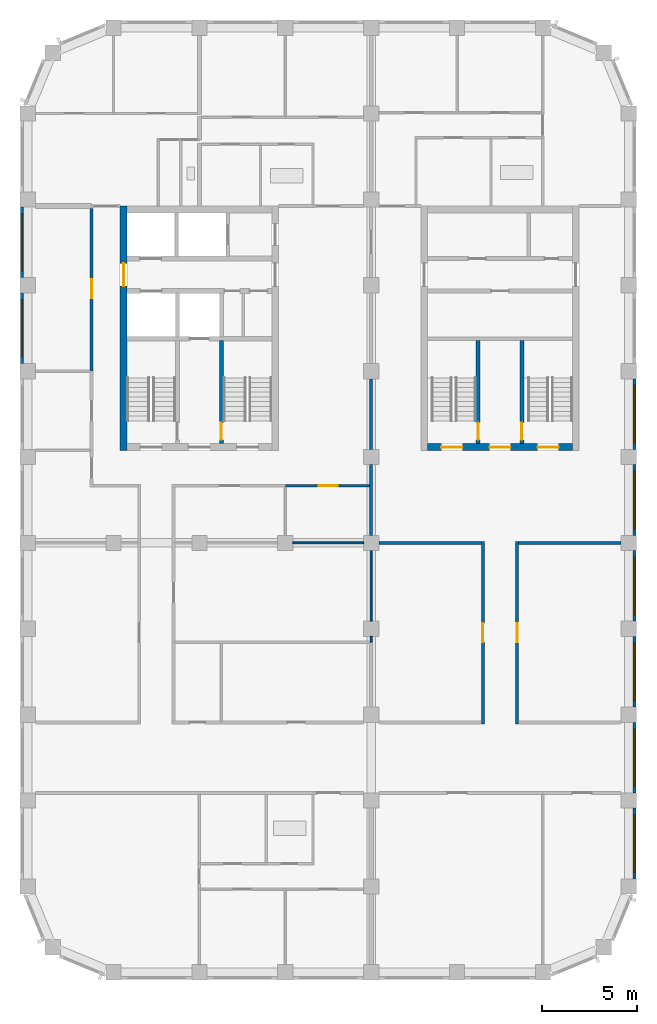
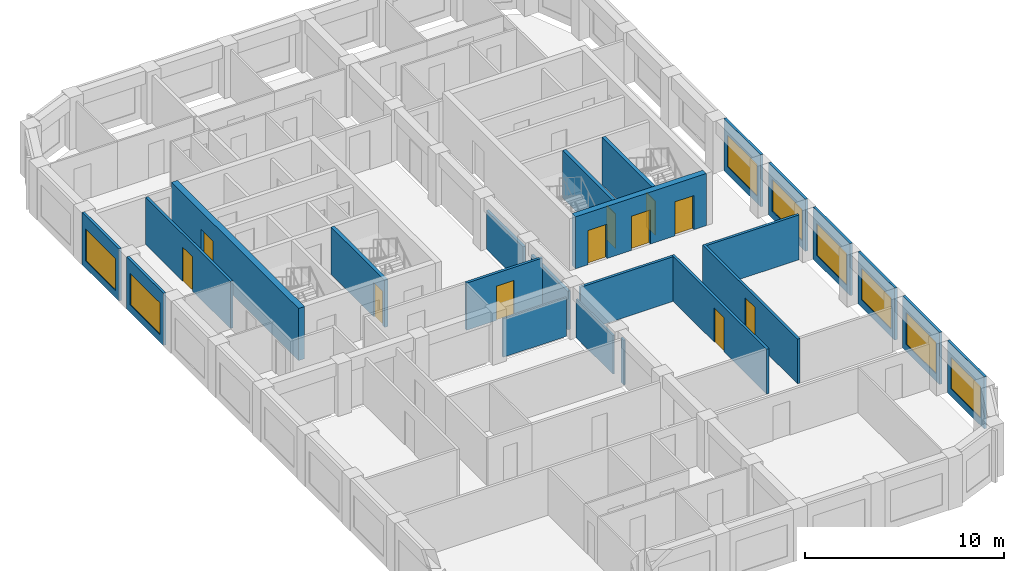
# One storey, part 4 of 9: 24 walls, 11 doors, 8 windows, 19 openings.
"""IFC4 building model written with IfcOpenShell, lengths in metres."""

from ifc_helpers import new_model, si_unit, direction, frame, frame_2d, origin, place, context, subcontext, project, spatial, rectangle, extrude, material, layer, layer_set, type_object, element, fill, save


model = new_model("IFC4")

# Units and contexts
model_context = context("Model", 3, precision=1e-05, world=origin(), true_north=direction((0.0, 1.0)))
body_context = subcontext(model_context, "Body", "Model", "MODEL_VIEW")
ifc_project = project(units=[si_unit("LENGTHUNIT", "METRE"), si_unit("AREAUNIT", "SQUARE_METRE"), si_unit("VOLUMEUNIT", "CUBIC_METRE"), si_unit("PLANEANGLEUNIT", "RADIAN"), si_unit("MASSUNIT", "GRAM", prefix="KILO")], contexts=[model_context])

# Site, building, storey
site_placement = place(None, origin())
site = spatial("IfcSite", under=ifc_project, at=site_placement, CompositionType="ELEMENT")
building_placement = place(site_placement, origin())
building = spatial("IfcBuilding", under=site, at=building_placement, Name="Girih Gate Residences", CompositionType="ELEMENT")
storey_placement = place(building_placement, frame((0.0, 0.0, 213.294921875)))
storey = spatial("IfcBuildingStorey", under=building, at=storey_placement, Name="L59", CompositionType="ELEMENT", Elevation=213.294921875)

# Walls
ifc_material_1 = material(Name="Gypsum board on steel studs", Category="steel")
ifc_layer_1 = layer(ifc_material_1, 0.14990234375)
ifc_layer_set_1 = layer_set([ifc_layer_1], Name="Compartment wall 150 mm")
wall_type_1 = type_object("IfcWallType", Name="Compartment wall 150 mm", PredefinedType="PARTITIONING", material=ifc_layer_set_1)
for number, where, z_axis, x_axis, name in (
    (1, (18.39990234375, 22.5, 0.0), (0.0, 0.0, 1.0), (1.0, 0.0, 0.0), "L59 partition"),
    (2, (25.72509765625, 22.5, 0.0), (0.0, 0.0, 1.0), (1.0, 0.0, 0.0), "L59 partition"),
):
    element("IfcWall", number, at=place(storey_placement, frame(where, z_axis=z_axis, x_axis=x_axis)), inside=storey, type_object=wall_type_1, Name=name, PredefinedType="PARTITIONING", context=body_context, shape_type="SweptSolid", body=[
        extrude(rectangle(XDim=5.375, YDim=0.14990234375, at=frame_2d((2.6875, 0.0))), origin(), (0.0, 0.0, 1.0), 2.75),
    ])
for number, where, z_axis, x_axis, name in (
    (3, (18.0, 27.39990234375, 0.0), (0.0, 0.0, 1.0), (0.0, 1.0, 0.0), "L59 partition"),
    (4, (18.0, 22.89990234375, 0.0), (0.0, 0.0, 1.0), (0.0, 1.0, 0.0), "L59 partition"),
):
    element("IfcWall", number, at=place(storey_placement, frame(where, z_axis=z_axis, x_axis=x_axis)), inside=storey, type_object=wall_type_1, Name=name, PredefinedType="PARTITIONING", context=body_context, shape_type="SweptSolid", body=[
        extrude(rectangle(XDim=3.7001953125, YDim=0.14990234375, at=frame_2d((1.85009765625, 0.0))), origin(), (0.0, 0.0, 1.0), 2.380126953125),
    ])

# Wall, opening, door
wall_1_placement = place(storey_placement, frame((23.85009765625, 13.02490234375, 0.0), z_axis=(0.0, 0.0, 1.0), x_axis=(0.0, 1.0, 0.0)))
wall_1 = element("IfcWall", 5, at=wall_1_placement, inside=storey, type_object=wall_type_1, Name="L59 partition", PredefinedType="PARTITIONING", context=body_context, shape_type="SweptSolid", body=[
    extrude(rectangle(XDim=9.550048828125, YDim=0.14990234375, at=frame_2d((4.77490234375, 0.0))), origin(), (0.0, 0.0, 1.0), 2.75),
])
opening_1_placement = place(wall_1_placement, frame((4.27490234375, 0.0, 0.0)))
opening_1 = element("IfcOpeningElement", 6, at=opening_1_placement, cuts=wall_1, Name="Opening A59-027", PredefinedType="OPENING", context=body_context, shape_type="SweptSolid", body=[
    extrude(rectangle(XDim=1.0, YDim=2.10009765625, at=frame_2d((0.5, 1.050048828125))), frame((0.0, 0.0849609375, 0.0), z_axis=(0.0, -1.0, 0.0), x_axis=(1.0, 0.0, 0.0)), (0.0, 0.0, 1.0), 0.169921875),
])
ifc_material_2 = material(Name="Timber, fire-rated core", Category="wood")
door_type_1 = type_object("IfcDoorType", Name="Amenity room door 1000x2100 FD30S", OperationType="NOTDEFINED", PredefinedType="DOOR", material=ifc_material_2)
door_1_placement = place(opening_1_placement, origin())
door_1 = element("IfcDoor", 7, at=door_1_placement, inside=storey, type_object=door_type_1, Name="Door A59-027", OperationType="SINGLE_SWING_RIGHT", OverallHeight=2.10009765625, OverallWidth=1.0, PredefinedType="DOOR", context=body_context, shape_type="SweptSolid", body=[
    extrude(rectangle(XDim=1.0, YDim=2.10009765625, at=frame_2d((0.5, 1.050048828125))), frame((0.0, 0.02490234375, 0.0), z_axis=(0.0, -1.0, 0.0), x_axis=(1.0, 0.0, 0.0)), (0.0, 0.0, 1.0), 0.050048828125),
])
fill(opening_1, door_1)

wall_2_placement = place(storey_placement, frame((25.64990234375, 22.574951171875, 0.0), z_axis=(0.0, 0.0, 1.0), x_axis=(0.0, -1.0, 0.0)))
wall_2 = element("IfcWall", 8, at=wall_2_placement, inside=storey, type_object=wall_type_1, Name="L59 partition", PredefinedType="PARTITIONING", context=body_context, shape_type="SweptSolid", body=[
    extrude(rectangle(XDim=9.550048828125, YDim=0.14990234375, at=frame_2d((4.77490234375, 0.0))), origin(), (0.0, 0.0, 1.0), 2.75),
])
opening_2_placement = place(wall_2_placement, frame((4.27490234375, 0.0, 0.0)))
opening_2 = element("IfcOpeningElement", 9, at=opening_2_placement, cuts=wall_2, Name="Opening A59-028", PredefinedType="OPENING", context=body_context, shape_type="SweptSolid", body=[
    extrude(rectangle(XDim=1.0, YDim=2.10009765625, at=frame_2d((0.5, 1.050048828125))), frame((0.0, 0.0849609375, 0.0), z_axis=(0.0, -1.0, 0.0), x_axis=(1.0, 0.0, 0.0)), (0.0, 0.0, 1.0), 0.169921875),
])
door_2_placement = place(opening_2_placement, origin())
door_2 = element("IfcDoor", 10, at=door_2_placement, inside=storey, type_object=door_type_1, Name="Door A59-028", OperationType="SINGLE_SWING_LEFT", OverallHeight=2.10009765625, OverallWidth=1.0, PredefinedType="DOOR", context=body_context, shape_type="SweptSolid", body=[
    extrude(rectangle(XDim=1.0, YDim=2.10009765625, at=frame_2d((0.5, 1.050048828125))), frame((0.0, 0.02490234375, 0.0), z_axis=(0.0, -1.0, 0.0), x_axis=(1.0, 0.0, 0.0)), (0.0, 0.0, 1.0), 0.050048828125),
])
fill(opening_2, door_2)

wall_3_placement = place(storey_placement, frame((17.925048828125, 25.5, 0.0), z_axis=(0.0, 0.0, 1.0), x_axis=(-1.0, 0.0, 0.0)))
wall_3 = element("IfcWall", 11, at=wall_3_placement, inside=storey, type_object=wall_type_1, Name="L59 partition", PredefinedType="PARTITIONING", context=body_context, shape_type="SweptSolid", body=[
    extrude(rectangle(XDim=4.425048828125, YDim=0.14990234375, at=frame_2d((2.21240234375, 0.0))), origin(), (0.0, 0.0, 1.0), 2.900146484375),
])
opening_3_placement = place(wall_3_placement, frame((1.675048828125, 0.0, 0.0)))
opening_3 = element("IfcOpeningElement", 12, at=opening_3_placement, cuts=wall_3, Name="Opening A59-033", PredefinedType="OPENING", context=body_context, shape_type="SweptSolid", body=[
    extrude(rectangle(XDim=1.0, YDim=2.10009765625, at=frame_2d((0.5, 1.050048828125))), frame((0.0, 0.0849609375, 0.0), z_axis=(0.0, -1.0, 0.0), x_axis=(1.0, 0.0, 0.0)), (0.0, 0.0, 1.0), 0.169921875),
])
door_3_placement = place(opening_3_placement, origin())
door_3 = element("IfcDoor", 13, at=door_3_placement, inside=storey, type_object=door_type_1, Name="Door A59-033", OperationType="SINGLE_SWING_LEFT", OverallHeight=2.10009765625, OverallWidth=1.0, PredefinedType="DOOR", context=body_context, shape_type="SweptSolid", body=[
    extrude(rectangle(XDim=1.0, YDim=2.10009765625, at=frame_2d((0.5, 1.050048828125))), frame((0.0, 0.02490234375, 0.0), z_axis=(0.0, -1.0, 0.0), x_axis=(1.0, 0.0, 0.0)), (0.0, 0.0, 1.0), 0.050048828125),
])
fill(opening_3, door_3)

wall_4_placement = place(storey_placement, frame((3.35009765625, 31.5, 0.0), z_axis=(0.0, 0.0, 1.0), x_axis=(0.0, 1.0, 0.0)))
wall_4 = element("IfcWall", 14, at=wall_4_placement, inside=storey, type_object=wall_type_1, Name="L59 partition", PredefinedType="PARTITIONING", context=body_context, shape_type="SweptSolid", body=[
    extrude(rectangle(XDim=8.52490234375, YDim=0.14990234375, at=frame_2d((4.262451171875, 0.0))), origin(), (0.0, 0.0, 1.0), 2.900146484375),
])
opening_4_placement = place(wall_4_placement, frame((3.824951171875, 0.0, 0.0)))
opening_4 = element("IfcOpeningElement", 15, at=opening_4_placement, cuts=wall_4, Name="Opening A59-035", PredefinedType="OPENING", context=body_context, shape_type="SweptSolid", body=[
    extrude(rectangle(XDim=1.0, YDim=2.10009765625, at=frame_2d((0.5, 1.050048828125))), frame((0.0, 0.0849609375, 0.0), z_axis=(0.0, -1.0, 0.0), x_axis=(1.0, 0.0, 0.0)), (0.0, 0.0, 1.0), 0.169921875),
])
door_4_placement = place(opening_4_placement, origin())
door_4 = element("IfcDoor", 16, at=door_4_placement, inside=storey, type_object=door_type_1, Name="Door A59-035", OperationType="SINGLE_SWING_RIGHT", OverallHeight=2.10009765625, OverallWidth=1.0, PredefinedType="DOOR", context=body_context, shape_type="SweptSolid", body=[
    extrude(rectangle(XDim=1.0, YDim=2.10009765625, at=frame_2d((0.5, 1.050048828125))), frame((0.0, 0.02490234375, 0.0), z_axis=(0.0, -1.0, 0.0), x_axis=(1.0, 0.0, 0.0)), (0.0, 0.0, 1.0), 0.050048828125),
])
fill(opening_4, door_4)

ifc_material_3 = material(Name="Concrete C60/75", Category="concrete")
ifc_layer_2 = layer(ifc_material_3, 0.35009765625)
ifc_layer_set_2 = layer_set([ifc_layer_2], Name="Core wall RC 350 Concrete C60/75")
wall_type_2 = type_object("IfcWallType", Name="Core wall RC 350 Concrete C60/75", PredefinedType="SOLIDWALL", material=ifc_layer_set_2)
wall_5_placement = place(storey_placement, frame((5.02490234375, 27.35009765625, 0.0), z_axis=(0.0, 0.0, 1.0), x_axis=(0.0, 1.0, 0.0)))
wall_5 = element("IfcWall", 17, at=wall_5_placement, inside=storey, type_object=wall_type_2, Name="Core wall W-W L59", PredefinedType="SOLIDWALL", context=body_context, shape_type="SweptSolid", body=[
    extrude(rectangle(XDim=12.7998046875, YDim=0.35009765625, at=frame_2d((6.39990234375, 0.0))), origin(), (0.0, 0.0, 1.0), 3.2001953125),
])
opening_5_placement = place(wall_5_placement, frame((8.60009765625, 0.0, 0.0)))
opening_5 = element("IfcOpeningElement", 18, at=opening_5_placement, cuts=wall_5, Name="Opening D-L59-W-013", PredefinedType="OPENING", context=body_context, shape_type="SweptSolid", body=[
    extrude(rectangle(XDim=1.199951171875, YDim=2.10009765625, at=frame_2d((0.60009765625, 1.050048828125))), frame((0.0, 0.18505859375, 0.0), z_axis=(0.0, -1.0, 0.0), x_axis=(1.0, 0.0, 0.0)), (0.0, 0.0, 1.0), 0.3701171875),
])
ifc_material_4 = material(Name="Painted steel, fire-resisting", Category="steel")
door_type_2 = type_object("IfcDoorType", Name="Fire door 1200x2100", OperationType="SINGLE_SWING_LEFT", PredefinedType="DOOR", material=ifc_material_4)
door_5_placement = place(opening_5_placement, origin())
door_5 = element("IfcDoor", 19, at=door_5_placement, inside=storey, type_object=door_type_2, Name="L59 W core door ll-w", OperationType="SINGLE_SWING_LEFT", OverallHeight=2.10009765625, OverallWidth=1.199951171875, PredefinedType="DOOR", context=body_context, shape_type="SweptSolid", body=[
    extrude(rectangle(XDim=1.199951171875, YDim=2.10009765625, at=frame_2d((0.60009765625, 1.050048828125))), frame((0.0, 0.02490234375, 0.0), z_axis=(0.0, -1.0, 0.0), x_axis=(1.0, 0.0, 0.0)), (0.0, 0.0, 1.0), 0.050048828125),
])
fill(opening_5, door_5)

# Walls
ifc_layer_3 = layer(ifc_material_1, 0.10009765625)
ifc_layer_set_3 = layer_set([ifc_layer_3], Name="Partition 100 mm")
wall_type_3 = type_object("IfcWallType", Name="Partition 100 mm", PredefinedType="PARTITIONING", material=ifc_layer_set_3)
wall_6_placement = place(storey_placement, frame((18.0, 18.39990234375, 0.0), z_axis=(0.0, 0.0, 1.0), x_axis=(0.0, 1.0, 0.0)))
element("IfcWall", 20, at=wall_6_placement, inside=storey, type_object=wall_type_3, Name="L59 partition", PredefinedType="PARTITIONING", context=body_context, shape_type="SweptSolid", body=[
    extrude(rectangle(XDim=3.7001953125, YDim=0.10009765625, at=frame_2d((1.85009765625, 0.0))), origin(), (0.0, 0.0, 1.0), 2.380126953125),
])
wall_7_placement = place(storey_placement, frame((18.0, 17.300048828125, 0.0), z_axis=(0.0, 0.0, 1.0), x_axis=(0.0, 1.0, 0.0)))
element("IfcWall", 21, at=wall_7_placement, inside=storey, type_object=wall_type_3, Name="L59 partition", PredefinedType="PARTITIONING", context=body_context, shape_type="SweptSolid", body=[
    extrude(rectangle(XDim=0.300048828125, YDim=0.10009765625, at=frame_2d((0.14990234375, 0.0))), origin(), (0.0, 0.0, 1.0), 2.75),
])
wall_8_placement = place(storey_placement, frame((13.89990234375, 22.5, 0.0), z_axis=(0.0, 0.0, 1.0), x_axis=(1.0, 0.0, 0.0)))
element("IfcWall", 22, at=wall_8_placement, inside=storey, type_object=wall_type_3, Name="L59 partition", PredefinedType="PARTITIONING", context=body_context, shape_type="SweptSolid", body=[
    extrude(rectangle(XDim=3.7001953125, YDim=0.10009765625, at=frame_2d((1.85009765625, 0.0))), origin(), (0.0, 0.0, 1.0), 2.380126953125),
])

# Wall, opening, window
ifc_material_5 = material(Name="Precast concrete C50/60", Category="concrete")
ifc_layer_4 = layer(ifc_material_5, 0.050048828125, Name="Outer leaf")
ifc_material_6 = material(Name="Rigid PIR insulation")
ifc_layer_5 = layer(ifc_material_6, 0.06005859375, Name="Insulation")
ifc_material_7 = material(Name="Precast concrete C40/50", Category="concrete")
ifc_layer_6 = layer(ifc_material_7, 0.0400390625, Name="Inner leaf")
ifc_layer_set_4 = layer_set([ifc_layer_4, ifc_layer_5, ifc_layer_6], Name="Precast concrete C50/60 external wall 150")
wall_type_4 = type_object("IfcWallType", Name="Precast concrete C50/60 external wall 150", PredefinedType="SOLIDWALL", material=ifc_layer_set_4)
wall_9_placement = place(storey_placement, frame((31.800048828125, 8.60009765625, 0.0), z_axis=(0.0, 0.0, 1.0), x_axis=(0.0, -1.0, 0.0)))
wall_9 = element("IfcWall", 23, at=wall_9_placement, inside=storey, type_object=wall_type_4, Name="External wall E0315_0045.0", PredefinedType="SOLIDWALL", context=body_context, shape_type="SweptSolid", body=[
    extrude(rectangle(XDim=3.7001953125, YDim=0.14990234375, at=frame_2d((1.85009765625, 0.0))), origin(), (0.0, 0.0, 1.0), 3.2001953125),
])
opening_6_placement = place(wall_9_placement, frame((0.35009765625, 0.0, 0.449951171875)))
opening_6 = element("IfcOpeningElement", 24, at=opening_6_placement, cuts=wall_9, Name="Opening W-1D", PredefinedType="OPENING", context=body_context, shape_type="SweptSolid", body=[
    extrude(rectangle(XDim=3.0, YDim=1.949951171875, at=frame_2d((1.5, 0.97509765625))), frame((0.0, 0.0849609375, 0.0), z_axis=(0.0, -1.0, 0.0), x_axis=(1.0, 0.0, 0.0)), (0.0, 0.0, 1.0), 0.169921875),
])
ifc_material_8 = material(Name="Double glazing in aluminium frame", Category="aluminium")
window_type = type_object("IfcWindowType", Name="Window W-1D 3000x1950", PartitioningType="SINGLE_PANEL", PredefinedType="WINDOW", material=ifc_material_8)
window_1_placement = place(opening_6_placement, origin())
window_1 = element("IfcWindow", 25, at=window_1_placement, inside=storey, type_object=window_type, Name="Window W-1D E0315_0045.0", OverallHeight=1.949951171875, OverallWidth=3.0, PartitioningType="SINGLE_PANEL", PredefinedType="WINDOW", context=body_context, shape_type="SweptSolid", body=[
    extrude(rectangle(XDim=3.0, YDim=1.949951171875, at=frame_2d((1.5, 0.97509765625))), frame((0.0, 0.030029296875, 0.0), z_axis=(0.0, -1.0, 0.0), x_axis=(1.0, 0.0, 0.0)), (0.0, 0.0, 1.0), 0.06005859375),
])
fill(opening_6, window_1)

wall_10_placement = place(storey_placement, frame((31.800048828125, 13.10009765625, 0.0), z_axis=(0.0, 0.0, 1.0), x_axis=(0.0, -1.0, 0.0)))
wall_10 = element("IfcWall", 26, at=wall_10_placement, inside=storey, type_object=wall_type_4, Name="External wall E0315_0045.1", PredefinedType="SOLIDWALL", context=body_context, shape_type="SweptSolid", body=[
    extrude(rectangle(XDim=3.7001953125, YDim=0.14990234375, at=frame_2d((1.85009765625, 0.0))), origin(), (0.0, 0.0, 1.0), 3.2001953125),
])
opening_7_placement = place(wall_10_placement, frame((0.35009765625, 0.0, 0.449951171875)))
opening_7 = element("IfcOpeningElement", 27, at=opening_7_placement, cuts=wall_10, Name="Opening W-1D", PredefinedType="OPENING", context=body_context, shape_type="SweptSolid", body=[
    extrude(rectangle(XDim=3.0, YDim=1.949951171875, at=frame_2d((1.5, 0.97509765625))), frame((0.0, 0.0849609375, 0.0), z_axis=(0.0, -1.0, 0.0), x_axis=(1.0, 0.0, 0.0)), (0.0, 0.0, 1.0), 0.169921875),
])
window_2_placement = place(opening_7_placement, origin())
window_2 = element("IfcWindow", 28, at=window_2_placement, inside=storey, type_object=window_type, Name="Window W-1D E0315_0045.1", OverallHeight=1.949951171875, OverallWidth=3.0, PartitioningType="SINGLE_PANEL", PredefinedType="WINDOW", context=body_context, shape_type="SweptSolid", body=[
    extrude(rectangle(XDim=3.0, YDim=1.949951171875, at=frame_2d((1.5, 0.97509765625))), frame((0.0, 0.030029296875, 0.0), z_axis=(0.0, -1.0, 0.0), x_axis=(1.0, 0.0, 0.0)), (0.0, 0.0, 1.0), 0.06005859375),
])
fill(opening_7, window_2)

wall_11_placement = place(storey_placement, frame((31.800048828125, 17.60009765625, 0.0), z_axis=(0.0, 0.0, 1.0), x_axis=(0.0, -1.0, 0.0)))
wall_11 = element("IfcWall", 29, at=wall_11_placement, inside=storey, type_object=wall_type_4, Name="External wall E0315_0045.2", PredefinedType="SOLIDWALL", context=body_context, shape_type="SweptSolid", body=[
    extrude(rectangle(XDim=3.7001953125, YDim=0.14990234375, at=frame_2d((1.85009765625, 0.0))), origin(), (0.0, 0.0, 1.0), 3.2001953125),
])
opening_8_placement = place(wall_11_placement, frame((0.35009765625, 0.0, 0.449951171875)))
opening_8 = element("IfcOpeningElement", 30, at=opening_8_placement, cuts=wall_11, Name="Opening W-1D", PredefinedType="OPENING", context=body_context, shape_type="SweptSolid", body=[
    extrude(rectangle(XDim=3.0, YDim=1.949951171875, at=frame_2d((1.5, 0.97509765625))), frame((0.0, 0.0849609375, 0.0), z_axis=(0.0, -1.0, 0.0), x_axis=(1.0, 0.0, 0.0)), (0.0, 0.0, 1.0), 0.169921875),
])
window_3_placement = place(opening_8_placement, origin())
window_3 = element("IfcWindow", 31, at=window_3_placement, inside=storey, type_object=window_type, Name="Window W-1D E0315_0045.2", OverallHeight=1.949951171875, OverallWidth=3.0, PartitioningType="SINGLE_PANEL", PredefinedType="WINDOW", context=body_context, shape_type="SweptSolid", body=[
    extrude(rectangle(XDim=3.0, YDim=1.949951171875, at=frame_2d((1.5, 0.97509765625))), frame((0.0, 0.030029296875, 0.0), z_axis=(0.0, -1.0, 0.0), x_axis=(1.0, 0.0, 0.0)), (0.0, 0.0, 1.0), 0.06005859375),
])
fill(opening_8, window_3)

wall_12_placement = place(storey_placement, frame((31.800048828125, 22.10009765625, 0.0), z_axis=(0.0, 0.0, 1.0), x_axis=(0.0, -1.0, 0.0)))
wall_12 = element("IfcWall", 32, at=wall_12_placement, inside=storey, type_object=wall_type_4, Name="External wall E0315_0045.3", PredefinedType="SOLIDWALL", context=body_context, shape_type="SweptSolid", body=[
    extrude(rectangle(XDim=3.7001953125, YDim=0.14990234375, at=frame_2d((1.85009765625, 0.0))), origin(), (0.0, 0.0, 1.0), 3.2001953125),
])
opening_9_placement = place(wall_12_placement, frame((0.35009765625, 0.0, 0.449951171875)))
opening_9 = element("IfcOpeningElement", 33, at=opening_9_placement, cuts=wall_12, Name="Opening W-1D", PredefinedType="OPENING", context=body_context, shape_type="SweptSolid", body=[
    extrude(rectangle(XDim=3.0, YDim=1.949951171875, at=frame_2d((1.5, 0.97509765625))), frame((0.0, 0.0849609375, 0.0), z_axis=(0.0, -1.0, 0.0), x_axis=(1.0, 0.0, 0.0)), (0.0, 0.0, 1.0), 0.169921875),
])
window_4_placement = place(opening_9_placement, origin())
window_4 = element("IfcWindow", 34, at=window_4_placement, inside=storey, type_object=window_type, Name="Window W-1D E0315_0045.3", OverallHeight=1.949951171875, OverallWidth=3.0, PartitioningType="SINGLE_PANEL", PredefinedType="WINDOW", context=body_context, shape_type="SweptSolid", body=[
    extrude(rectangle(XDim=3.0, YDim=1.949951171875, at=frame_2d((1.5, 0.97509765625))), frame((0.0, 0.030029296875, 0.0), z_axis=(0.0, -1.0, 0.0), x_axis=(1.0, 0.0, 0.0)), (0.0, 0.0, 1.0), 0.06005859375),
])
fill(opening_9, window_4)

wall_13_placement = place(storey_placement, frame((31.800048828125, 26.60009765625, 0.0), z_axis=(0.0, 0.0, 1.0), x_axis=(0.0, -1.0, 0.0)))
wall_13 = element("IfcWall", 35, at=wall_13_placement, inside=storey, type_object=wall_type_4, Name="External wall E0315_0045.4", PredefinedType="SOLIDWALL", context=body_context, shape_type="SweptSolid", body=[
    extrude(rectangle(XDim=3.7001953125, YDim=0.14990234375, at=frame_2d((1.85009765625, 0.0))), origin(), (0.0, 0.0, 1.0), 3.2001953125),
])
opening_10_placement = place(wall_13_placement, frame((0.35009765625, 0.0, 0.449951171875)))
opening_10 = element("IfcOpeningElement", 36, at=opening_10_placement, cuts=wall_13, Name="Opening W-1D", PredefinedType="OPENING", context=body_context, shape_type="SweptSolid", body=[
    extrude(rectangle(XDim=3.0, YDim=1.949951171875, at=frame_2d((1.5, 0.97509765625))), frame((0.0, 0.0849609375, 0.0), z_axis=(0.0, -1.0, 0.0), x_axis=(1.0, 0.0, 0.0)), (0.0, 0.0, 1.0), 0.169921875),
])
window_5_placement = place(opening_10_placement, origin())
window_5 = element("IfcWindow", 37, at=window_5_placement, inside=storey, type_object=window_type, Name="Window W-1D E0315_0045.4", OverallHeight=1.949951171875, OverallWidth=3.0, PartitioningType="SINGLE_PANEL", PredefinedType="WINDOW", context=body_context, shape_type="SweptSolid", body=[
    extrude(rectangle(XDim=3.0, YDim=1.949951171875, at=frame_2d((1.5, 0.97509765625))), frame((0.0, 0.030029296875, 0.0), z_axis=(0.0, -1.0, 0.0), x_axis=(1.0, 0.0, 0.0)), (0.0, 0.0, 1.0), 0.06005859375),
])
fill(opening_10, window_5)

wall_14_placement = place(storey_placement, frame((31.800048828125, 31.10009765625, 0.0), z_axis=(0.0, 0.0, 1.0), x_axis=(0.0, -1.0, 0.0)))
wall_14 = element("IfcWall", 38, at=wall_14_placement, inside=storey, type_object=wall_type_4, Name="External wall E0315_0045.5", PredefinedType="SOLIDWALL", context=body_context, shape_type="SweptSolid", body=[
    extrude(rectangle(XDim=3.7001953125, YDim=0.14990234375, at=frame_2d((1.85009765625, 0.0))), origin(), (0.0, 0.0, 1.0), 3.2001953125),
])
opening_11_placement = place(wall_14_placement, frame((0.35009765625, 0.0, 0.449951171875)))
opening_11 = element("IfcOpeningElement", 39, at=opening_11_placement, cuts=wall_14, Name="Opening W-1D", PredefinedType="OPENING", context=body_context, shape_type="SweptSolid", body=[
    extrude(rectangle(XDim=3.0, YDim=1.949951171875, at=frame_2d((1.5, 0.97509765625))), frame((0.0, 0.0849609375, 0.0), z_axis=(0.0, -1.0, 0.0), x_axis=(1.0, 0.0, 0.0)), (0.0, 0.0, 1.0), 0.169921875),
])
window_6_placement = place(opening_11_placement, origin())
window_6 = element("IfcWindow", 40, at=window_6_placement, inside=storey, type_object=window_type, Name="Window W-1D E0315_0045.5", OverallHeight=1.949951171875, OverallWidth=3.0, PartitioningType="SINGLE_PANEL", PredefinedType="WINDOW", context=body_context, shape_type="SweptSolid", body=[
    extrude(rectangle(XDim=3.0, YDim=1.949951171875, at=frame_2d((1.5, 0.97509765625))), frame((0.0, 0.030029296875, 0.0), z_axis=(0.0, -1.0, 0.0), x_axis=(1.0, 0.0, 0.0)), (0.0, 0.0, 1.0), 0.06005859375),
])
fill(opening_11, window_6)

wall_15_placement = place(storey_placement, frame((-0.300048828125, 36.39990234375, 0.0), z_axis=(0.0, 0.0, 1.0), x_axis=(0.0, 1.0, 0.0)))
wall_15 = element("IfcWall", 41, at=wall_15_placement, inside=storey, type_object=wall_type_4, Name="External wall W0000_0450.1", PredefinedType="SOLIDWALL", context=body_context, shape_type="SweptSolid", body=[
    extrude(rectangle(XDim=3.7001953125, YDim=0.14990234375, at=frame_2d((1.85009765625, 0.0))), origin(), (0.0, 0.0, 1.0), 3.2001953125),
])
opening_12_placement = place(wall_15_placement, frame((0.35009765625, 0.0, 0.449951171875)))
opening_12 = element("IfcOpeningElement", 42, at=opening_12_placement, cuts=wall_15, Name="Opening W-1D", PredefinedType="OPENING", context=body_context, shape_type="SweptSolid", body=[
    extrude(rectangle(XDim=3.0, YDim=1.949951171875, at=frame_2d((1.5, 0.97509765625))), frame((0.0, 0.0849609375, 0.0), z_axis=(0.0, -1.0, 0.0), x_axis=(1.0, 0.0, 0.0)), (0.0, 0.0, 1.0), 0.169921875),
])
window_7_placement = place(opening_12_placement, origin())
window_7 = element("IfcWindow", 43, at=window_7_placement, inside=storey, type_object=window_type, Name="Window W-1D W0000_0450.1", OverallHeight=1.949951171875, OverallWidth=3.0, PartitioningType="SINGLE_PANEL", PredefinedType="WINDOW", context=body_context, shape_type="SweptSolid", body=[
    extrude(rectangle(XDim=3.0, YDim=1.949951171875, at=frame_2d((1.5, 0.97509765625))), frame((0.0, 0.030029296875, 0.0), z_axis=(0.0, -1.0, 0.0), x_axis=(1.0, 0.0, 0.0)), (0.0, 0.0, 1.0), 0.06005859375),
])
fill(opening_12, window_7)

wall_16_placement = place(storey_placement, frame((-0.300048828125, 31.89990234375, 0.0), z_axis=(0.0, 0.0, 1.0), x_axis=(0.0, 1.0, 0.0)))
wall_16 = element("IfcWall", 44, at=wall_16_placement, inside=storey, type_object=wall_type_4, Name="External wall W0000_0450.2", PredefinedType="SOLIDWALL", context=body_context, shape_type="SweptSolid", body=[
    extrude(rectangle(XDim=3.7001953125, YDim=0.14990234375, at=frame_2d((1.85009765625, 0.0))), origin(), (0.0, 0.0, 1.0), 3.2001953125),
])
opening_13_placement = place(wall_16_placement, frame((0.35009765625, 0.0, 0.449951171875)))
opening_13 = element("IfcOpeningElement", 45, at=opening_13_placement, cuts=wall_16, Name="Opening W-1D", PredefinedType="OPENING", context=body_context, shape_type="SweptSolid", body=[
    extrude(rectangle(XDim=3.0, YDim=1.949951171875, at=frame_2d((1.5, 0.97509765625))), frame((0.0, 0.0849609375, 0.0), z_axis=(0.0, -1.0, 0.0), x_axis=(1.0, 0.0, 0.0)), (0.0, 0.0, 1.0), 0.169921875),
])
window_8_placement = place(opening_13_placement, origin())
window_8 = element("IfcWindow", 46, at=window_8_placement, inside=storey, type_object=window_type, Name="Window W-1D W0000_0450.2", OverallHeight=1.949951171875, OverallWidth=3.0, PartitioningType="SINGLE_PANEL", PredefinedType="WINDOW", context=body_context, shape_type="SweptSolid", body=[
    extrude(rectangle(XDim=3.0, YDim=1.949951171875, at=frame_2d((1.5, 0.97509765625))), frame((0.0, 0.030029296875, 0.0), z_axis=(0.0, -1.0, 0.0), x_axis=(1.0, 0.0, 0.0)), (0.0, 0.0, 1.0), 0.06005859375),
])
fill(opening_13, window_8)

# Wall, opening, door
ifc_material_9 = material(Name="Concrete C40/50", Category="concrete")
ifc_layer_7 = layer(ifc_material_9, 0.199951171875)
ifc_layer_set_5 = layer_set([ifc_layer_7], Name="Shaft wall 200")
wall_type_5 = type_object("IfcWallType", Name="Shaft wall 200", PredefinedType="SOLIDWALL", material=ifc_layer_set_5)
wall_17_placement = place(storey_placement, frame((10.14990234375, 27.699951171875, 0.0), z_axis=(0.0, 0.0, 1.0), x_axis=(0.0, 1.0, 0.0)))
wall_17 = element("IfcWall", 47, at=wall_17_placement, inside=storey, type_object=wall_type_5, Name="L59 W core wall V2a", PredefinedType="SOLIDWALL", context=body_context, shape_type="SweptSolid", body=[
    extrude(rectangle(XDim=5.400146484375, YDim=0.199951171875, at=frame_2d((2.7001953125, 0.0))), origin(), (0.0, 0.0, 1.0), 2.900146484375),
])
opening_14_placement = place(wall_17_placement, frame((0.199951171875, 0.0, 0.0)))
opening_14 = element("IfcOpeningElement", 48, at=opening_14_placement, cuts=wall_17, Name="Opening D-L59-W-002", PredefinedType="OPENING", context=body_context, shape_type="SweptSolid", body=[
    extrude(rectangle(XDim=0.89990234375, YDim=2.10009765625, at=frame_2d((0.449951171875, 1.050048828125))), frame((0.0, 0.10986328125, 0.0), z_axis=(0.0, -1.0, 0.0), x_axis=(1.0, 0.0, 0.0)), (0.0, 0.0, 1.0), 0.219970703125),
])
door_type_3 = type_object("IfcDoorType", Name="Fire door 900x2100", OperationType="SINGLE_SWING_LEFT", PredefinedType="DOOR", material=ifc_material_4)
door_6_placement = place(opening_14_placement, origin())
door_6 = element("IfcDoor", 49, at=door_6_placement, inside=storey, type_object=door_type_3, Name="L59 W door stair 2 to firefighting lobby", OperationType="SINGLE_SWING_LEFT", OverallHeight=2.10009765625, OverallWidth=0.89990234375, PredefinedType="DOOR", context=body_context, shape_type="SweptSolid", body=[
    extrude(rectangle(XDim=0.89990234375, YDim=2.10009765625, at=frame_2d((0.449951171875, 1.050048828125))), frame((0.0, 0.02490234375, 0.0), z_axis=(0.0, -1.0, 0.0), x_axis=(1.0, 0.0, 0.0)), (0.0, 0.0, 1.0), 0.050048828125),
])
fill(opening_14, door_6)

wall_18_placement = place(storey_placement, frame((23.60009765625, 27.699951171875, 0.0), z_axis=(0.0, 0.0, 1.0), x_axis=(0.0, 1.0, 0.0)))
wall_18 = element("IfcWall", 50, at=wall_18_placement, inside=storey, type_object=wall_type_5, Name="L59 C core wall V1a", PredefinedType="SOLIDWALL", context=body_context, shape_type="SweptSolid", body=[
    extrude(rectangle(XDim=5.400146484375, YDim=0.199951171875, at=frame_2d((2.7001953125, 0.0))), origin(), (0.0, 0.0, 1.0), 2.900146484375),
])
opening_15_placement = place(wall_18_placement, frame((0.199951171875, 0.0, 0.0)))
opening_15 = element("IfcOpeningElement", 51, at=opening_15_placement, cuts=wall_18, Name="Opening D-L59-C-001", PredefinedType="OPENING", context=body_context, shape_type="SweptSolid", body=[
    extrude(rectangle(XDim=0.89990234375, YDim=2.10009765625, at=frame_2d((0.449951171875, 1.050048828125))), frame((0.0, 0.10986328125, 0.0), z_axis=(0.0, -1.0, 0.0), x_axis=(1.0, 0.0, 0.0)), (0.0, 0.0, 1.0), 0.219970703125),
])
door_7_placement = place(opening_15_placement, origin())
door_7 = element("IfcDoor", 52, at=door_7_placement, inside=storey, type_object=door_type_3, Name="L59 C door stair 1 to stair lobby", OperationType="SINGLE_SWING_LEFT", OverallHeight=2.10009765625, OverallWidth=0.89990234375, PredefinedType="DOOR", context=body_context, shape_type="SweptSolid", body=[
    extrude(rectangle(XDim=0.89990234375, YDim=2.10009765625, at=frame_2d((0.449951171875, 1.050048828125))), frame((0.0, 0.02490234375, 0.0), z_axis=(0.0, -1.0, 0.0), x_axis=(1.0, 0.0, 0.0)), (0.0, 0.0, 1.0), 0.050048828125),
])
fill(opening_15, door_7)

wall_19_placement = place(storey_placement, frame((25.89990234375, 27.699951171875, 0.0), z_axis=(0.0, 0.0, 1.0), x_axis=(0.0, 1.0, 0.0)))
wall_19 = element("IfcWall", 53, at=wall_19_placement, inside=storey, type_object=wall_type_5, Name="L59 C core wall V2a", PredefinedType="SOLIDWALL", context=body_context, shape_type="SweptSolid", body=[
    extrude(rectangle(XDim=5.400146484375, YDim=0.199951171875, at=frame_2d((2.7001953125, 0.0))), origin(), (0.0, 0.0, 1.0), 2.900146484375),
])
opening_16_placement = place(wall_19_placement, frame((0.199951171875, 0.0, 0.0)))
opening_16 = element("IfcOpeningElement", 54, at=opening_16_placement, cuts=wall_19, Name="Opening D-L59-C-002", PredefinedType="OPENING", context=body_context, shape_type="SweptSolid", body=[
    extrude(rectangle(XDim=0.89990234375, YDim=2.10009765625, at=frame_2d((0.449951171875, 1.050048828125))), frame((0.0, 0.10986328125, 0.0), z_axis=(0.0, -1.0, 0.0), x_axis=(1.0, 0.0, 0.0)), (0.0, 0.0, 1.0), 0.219970703125),
])
door_8_placement = place(opening_16_placement, origin())
door_8 = element("IfcDoor", 55, at=door_8_placement, inside=storey, type_object=door_type_3, Name="L59 C door stair 2 to stair lobby", OperationType="SINGLE_SWING_LEFT", OverallHeight=2.10009765625, OverallWidth=0.89990234375, PredefinedType="DOOR", context=body_context, shape_type="SweptSolid", body=[
    extrude(rectangle(XDim=0.89990234375, YDim=2.10009765625, at=frame_2d((0.449951171875, 1.050048828125))), frame((0.0, 0.02490234375, 0.0), z_axis=(0.0, -1.0, 0.0), x_axis=(1.0, 0.0, 0.0)), (0.0, 0.0, 1.0), 0.050048828125),
])
fill(opening_16, door_8)

# Wall, openings, doors
ifc_layer_8 = layer(ifc_material_9, 0.35009765625)
ifc_layer_set_6 = layer_set([ifc_layer_8], Name="Stair core wall RC 350 Concrete C40/50")
wall_type_6 = type_object("IfcWallType", Name="Stair core wall RC 350 Concrete C40/50", PredefinedType="SOLIDWALL", material=ifc_layer_set_6)
wall_20_placement = place(storey_placement, frame((20.949951171875, 27.52490234375, 0.0), z_axis=(0.0, 0.0, 1.0), x_axis=(1.0, 0.0, 0.0)))
wall_20 = element("IfcWall", 56, at=wall_20_placement, inside=storey, type_object=wall_type_6, Name="Stair core wall C-S L59", PredefinedType="SOLIDWALL", context=body_context, shape_type="SweptSolid", body=[
    extrude(rectangle(XDim=7.60009765625, YDim=0.35009765625, at=frame_2d((3.800048828125, 0.0))), origin(), (0.0, 0.0, 1.0), 3.2001953125),
])
opening_17_placement = place(wall_20_placement, frame((0.72509765625, 0.0, 0.0)))
opening_17 = element("IfcOpeningElement", 57, at=opening_17_placement, cuts=wall_20, Name="Opening D-L59-C-006", PredefinedType="OPENING", context=body_context, shape_type="SweptSolid", body=[
    extrude(rectangle(XDim=1.10009765625, YDim=2.10009765625, at=frame_2d((0.550048828125, 1.050048828125))), frame((0.0, 0.18505859375, 0.0), z_axis=(0.0, -1.0, 0.0), x_axis=(1.0, 0.0, 0.0)), (0.0, 0.0, 1.0), 0.3701171875),
])
opening_18_placement = place(wall_20_placement, frame((3.25, 0.0, 0.0)))
opening_18 = element("IfcOpeningElement", 58, at=opening_18_placement, cuts=wall_20, Name="Opening D-L59-C-007", PredefinedType="OPENING", context=body_context, shape_type="SweptSolid", body=[
    extrude(rectangle(XDim=1.10009765625, YDim=2.10009765625, at=frame_2d((0.550048828125, 1.050048828125))), frame((0.0, 0.18505859375, 0.0), z_axis=(0.0, -1.0, 0.0), x_axis=(1.0, 0.0, 0.0)), (0.0, 0.0, 1.0), 0.3701171875),
])
opening_19_placement = place(wall_20_placement, frame((5.77490234375, 0.0, 0.0)))
opening_19 = element("IfcOpeningElement", 59, at=opening_19_placement, cuts=wall_20, Name="Opening D-L59-C-008", PredefinedType="OPENING", context=body_context, shape_type="SweptSolid", body=[
    extrude(rectangle(XDim=1.10009765625, YDim=2.10009765625, at=frame_2d((0.550048828125, 1.050048828125))), frame((0.0, 0.18505859375, 0.0), z_axis=(0.0, -1.0, 0.0), x_axis=(1.0, 0.0, 0.0)), (0.0, 0.0, 1.0), 0.3701171875),
])
door_type_4 = type_object("IfcDoorType", Name="Fire door 1100x2100", OperationType="SINGLE_SWING_LEFT", PredefinedType="DOOR", material=ifc_material_4)
door_9_placement = place(opening_17_placement, origin())
door_9 = element("IfcDoor", 60, at=door_9_placement, inside=storey, type_object=door_type_4, Name="L59 C core door sta-out", OperationType="SINGLE_SWING_LEFT", OverallHeight=2.10009765625, OverallWidth=1.10009765625, PredefinedType="DOOR", context=body_context, shape_type="SweptSolid", body=[
    extrude(rectangle(XDim=1.10009765625, YDim=2.10009765625, at=frame_2d((0.550048828125, 1.050048828125))), frame((0.0, 0.02490234375, 0.0), z_axis=(0.0, -1.0, 0.0), x_axis=(1.0, 0.0, 0.0)), (0.0, 0.0, 1.0), 0.050048828125),
])
fill(opening_17, door_9)
door_10_placement = place(opening_18_placement, origin())
door_10 = element("IfcDoor", 61, at=door_10_placement, inside=storey, type_object=door_type_4, Name="L59 C core door ffl-out", OperationType="SINGLE_SWING_LEFT", OverallHeight=2.10009765625, OverallWidth=1.10009765625, PredefinedType="DOOR", context=body_context, shape_type="SweptSolid", body=[
    extrude(rectangle(XDim=1.10009765625, YDim=2.10009765625, at=frame_2d((0.550048828125, 1.050048828125))), frame((0.0, 0.02490234375, 0.0), z_axis=(0.0, -1.0, 0.0), x_axis=(1.0, 0.0, 0.0)), (0.0, 0.0, 1.0), 0.050048828125),
])
fill(opening_18, door_10)
door_11_placement = place(opening_19_placement, origin())
door_11 = element("IfcDoor", 62, at=door_11_placement, inside=storey, type_object=door_type_4, Name="L59 C core door stb-out", OperationType="SINGLE_SWING_LEFT", OverallHeight=2.10009765625, OverallWidth=1.10009765625, PredefinedType="DOOR", context=body_context, shape_type="SweptSolid", body=[
    extrude(rectangle(XDim=1.10009765625, YDim=2.10009765625, at=frame_2d((0.550048828125, 1.050048828125))), frame((0.0, 0.02490234375, 0.0), z_axis=(0.0, -1.0, 0.0), x_axis=(1.0, 0.0, 0.0)), (0.0, 0.0, 1.0), 0.050048828125),
])
fill(opening_19, door_11)

save(model, "model.ifc")
